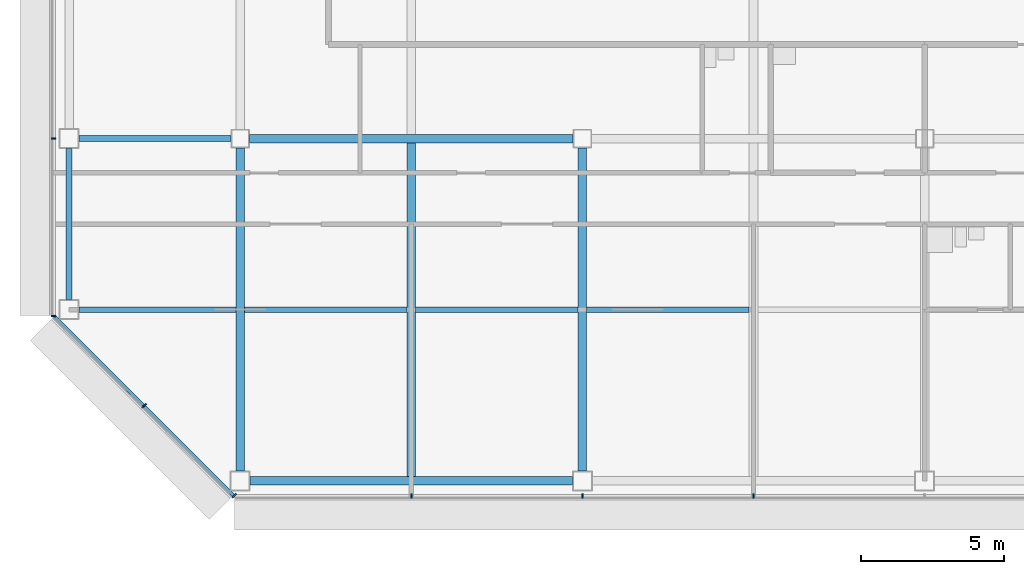
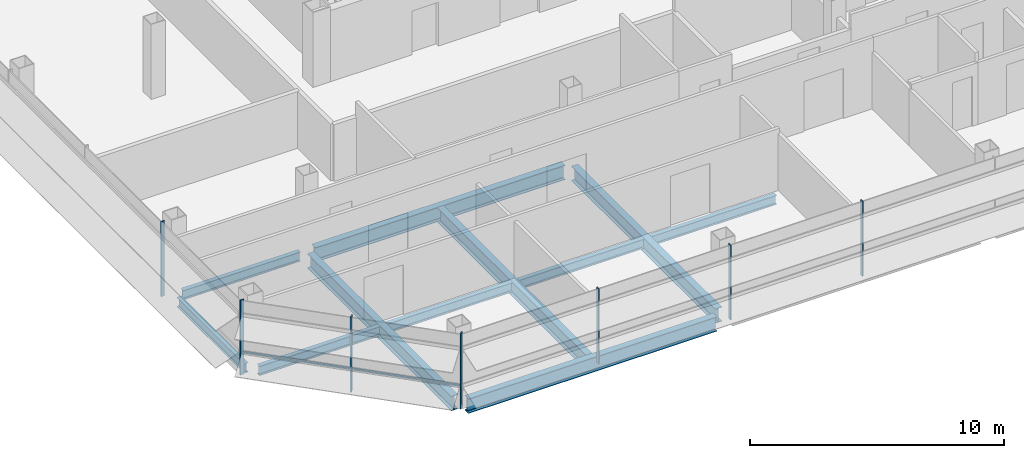
# One storey, part 2 of 24: 11 beams, 8 members, 3 elements without a shape of their own.
"""IFC4 building model written with IfcOpenShell, lengths in metres."""

from ifc_helpers import new_model, si_unit, direction, frame, origin, origin_2d, place, context, subcontext, project, spatial, rectangle, i_section, extrude, material, material_profile, profile_set, type_object, element, aggregate, save


model = new_model("IFC4")

# Units and contexts
model_context = context("Model", 3, precision=1e-05, world=origin(), true_north=direction((0.0, 1.0)))
body_context = subcontext(model_context, "Body", "Model", "MODEL_VIEW")
ifc_project = project(units=[si_unit("LENGTHUNIT", "METRE"), si_unit("AREAUNIT", "SQUARE_METRE"), si_unit("VOLUMEUNIT", "CUBIC_METRE"), si_unit("PLANEANGLEUNIT", "RADIAN"), si_unit("MASSUNIT", "GRAM", prefix="KILO")], contexts=[model_context])

# Site, building, storey
site_placement = place(None, origin())
site = spatial("IfcSite", under=ifc_project, at=site_placement, CompositionType="ELEMENT")
building_placement = place(site_placement, origin())
building = spatial("IfcBuilding", under=site, at=building_placement, Name="Sorahane Residences", CompositionType="ELEMENT")
storey_placement = place(building_placement, frame((0.0, 0.0, 174.39990234375)))
storey = spatial("IfcBuildingStorey", under=building, at=storey_placement, Name="L40", CompositionType="ELEMENT", Elevation=174.39990234375)

# Curtain wall, members
ifc_material_1 = material(Name="Dark low-e glass and black anodised aluminium", Category="aluminium")
curtain_wall_type_1 = type_object("IfcCurtainWallType", Name="Curtain wall CW-1 Typical unitised wall", PredefinedType="NOTDEFINED", material=ifc_material_1)
curtain_wall_1_placement = place(storey_placement, origin())
curtain_wall_1 = element("IfcCurtainWall", 1, at=curtain_wall_1_placement, inside=storey, type_object=curtain_wall_type_1, Name="CW-1 curtain wall L40 S1", PredefinedType="NOTDEFINED")
ifc_material_2 = material(Name="Black anodised aluminium", Category="aluminium")
ifc_material_profile_1 = material_profile(ifc_material_2, rectangle(XDim=0.159912109375, YDim=0.050048828125, at=origin_2d()), Name="Curtain wall mullion CW-1 black anodised aluminium 50x160")
ifc_profile_set_1 = profile_set([ifc_material_profile_1], Name="Black anodised aluminium")
member_type_1 = type_object("IfcMemberType", Name="Curtain wall mullion CW-1 black anodised aluminium 50x160", PredefinedType="MULLION", material=ifc_profile_set_1)
member_1_placement = place(storey_placement, frame((6.0, -0.5400390625, -0.179931640625), z_axis=(0.0, 0.0, 1.0), x_axis=(0.0, -1.0, 0.0)))
member_1 = element("IfcMember", 2, at=member_1_placement, type_object=member_type_1, Name="CW-1 mullion L40 S1.2", PredefinedType="MULLION", context=body_context, shape_type="SweptSolid", body=[
    extrude(rectangle(XDim=0.159912109375, YDim=0.050048828125, at=origin_2d()), origin(), (0.0, 0.0, 1.0), 3.60009765625),
])
member_2_placement = place(storey_placement, frame((12.0, -0.5400390625, -0.179931640625), z_axis=(0.0, 0.0, 1.0), x_axis=(0.0, -1.0, 0.0)))
member_2 = element("IfcMember", 3, at=member_2_placement, type_object=member_type_1, Name="CW-1 mullion L40 S1.3", PredefinedType="MULLION", context=body_context, shape_type="SweptSolid", body=[
    extrude(rectangle(XDim=0.159912109375, YDim=0.050048828125, at=origin_2d()), origin(), (0.0, 0.0, 1.0), 3.60009765625),
])
member_3_placement = place(storey_placement, frame((18.0, -0.5400390625, -0.179931640625), z_axis=(0.0, 0.0, 1.0), x_axis=(0.0, -1.0, 0.0)))
member_3 = element("IfcMember", 4, at=member_3_placement, type_object=member_type_1, Name="CW-1 mullion L40 S1.4", PredefinedType="MULLION", context=body_context, shape_type="SweptSolid", body=[
    extrude(rectangle(XDim=0.159912109375, YDim=0.050048828125, at=origin_2d()), origin(), (0.0, 0.0, 1.0), 3.60009765625),
])
aggregate(curtain_wall_1, [member_1, member_2, member_3])

curtain_wall_2_placement = place(storey_placement, origin())
curtain_wall_2 = element("IfcCurtainWall", 5, at=curtain_wall_2_placement, inside=storey, type_object=curtain_wall_type_1, Name="CW-1 curtain wall L40 W1", PredefinedType="NOTDEFINED")
member_4_placement = place(storey_placement, frame((-6.5400390625, 12.0, -0.179931640625), z_axis=(0.0, 0.0, 1.0), x_axis=(-1.0, 0.0, 0.0)))
member_4 = element("IfcMember", 6, at=member_4_placement, type_object=member_type_1, Name="CW-1 mullion L40 W1.6", PredefinedType="MULLION", context=body_context, shape_type="SweptSolid", body=[
    extrude(rectangle(XDim=0.159912109375, YDim=0.050048828125, at=origin_2d()), origin(), (0.0, 0.0, 1.0), 3.60009765625),
])
member_5_placement = place(storey_placement, frame((-6.5400390625, 5.7763671875, -0.179931640625), z_axis=(0.0, 0.0, 1.0), x_axis=(-1.0, 0.0, 0.0)))
member_5 = element("IfcMember", 7, at=member_5_placement, type_object=member_type_1, Name="CW-1 mullion L40 W1.7", PredefinedType="MULLION", context=body_context, shape_type="SweptSolid", body=[
    extrude(rectangle(XDim=0.159912109375, YDim=0.050048828125, at=origin_2d()), origin(), (0.0, 0.0, 1.0), 3.60009765625),
])
aggregate(curtain_wall_2, [member_4, member_5])

ifc_material_3 = material(Name="Dark low-e glass and black anodised aluminium", Category="aluminium")
curtain_wall_type_2 = type_object("IfcCurtainWallType", Name="Curtain wall CW-2 Chamfer unitised wall", PredefinedType="NOTDEFINED", material=ifc_material_3)
curtain_wall_3_placement = place(storey_placement, origin())
curtain_wall_3 = element("IfcCurtainWall", 8, at=curtain_wall_3_placement, inside=storey, type_object=curtain_wall_type_2, Name="CW-2 curtain wall L40 SW1", PredefinedType="NOTDEFINED")
ifc_material_4 = material(Name="Black anodised aluminium", Category="aluminium")
ifc_material_profile_2 = material_profile(ifc_material_4, rectangle(XDim=0.199951171875, YDim=0.050048828125, at=origin_2d()), Name="Curtain wall mullion CW-2 black anodised aluminium 50x200")
ifc_profile_set_2 = profile_set([ifc_material_profile_2], Name="Black anodised aluminium")
member_type_2 = type_object("IfcMemberType", Name="Curtain wall mullion CW-2 black anodised aluminium 50x200", PredefinedType="MULLION", material=ifc_profile_set_2)
member_6_placement = place(storey_placement, frame((-3.36767578125, 2.63232421875, -0.179931640625), z_axis=(0.0, 0.0, 1.0), x_axis=(-0.707106781187, -0.707106781187, 0.0)))
member_6 = element("IfcMember", 9, at=member_6_placement, type_object=member_type_2, Name="CW-2 mullion L40 SW1.2", PredefinedType="MULLION", context=body_context, shape_type="SweptSolid", body=[
    extrude(rectangle(XDim=0.199951171875, YDim=0.050048828125, at=origin_2d()), origin(), (0.0, 0.0, 1.0), 3.60009765625),
])
member_7_placement = place(storey_placement, frame((-0.209716796875, -0.525634765625, -0.179931640625), z_axis=(0.0, 0.0, 1.0), x_axis=(-0.707106781187, -0.707106781187, 0.0)))
member_7 = element("IfcMember", 10, at=member_7_placement, type_object=member_type_2, Name="CW-2 mullion L40 SW1.3", PredefinedType="MULLION", context=body_context, shape_type="SweptSolid", body=[
    extrude(rectangle(XDim=0.199951171875, YDim=0.050048828125, at=origin_2d()), origin(), (0.0, 0.0, 1.0), 3.60009765625),
])
ifc_material_5 = material(Name="Black anodised aluminium", Category="aluminium")
ifc_material_profile_3 = material_profile(ifc_material_5, rectangle(XDim=0.10009765625, YDim=0.06005859375, at=origin_2d()), Name="Curtain wall transom CW-2 black anodised aluminium 60x100")
ifc_profile_set_3 = profile_set([ifc_material_profile_3], Name="Black anodised aluminium")
member_type_3 = type_object("IfcMemberType", Name="Curtain wall transom CW-2 black anodised aluminium 60x100", PredefinedType="USERDEFINED", material=ifc_profile_set_3)
member_8_placement = place(storey_placement, frame((-6.51513671875, 5.765625, 0.900146484375), z_axis=(0.707106781187, -0.707106781187, 0.0), x_axis=(0.707106781187, 0.707106781187, 0.0)))
member_8 = element("IfcMember", 11, at=member_8_placement, type_object=member_type_3, Name="CW-2 transom L40 SW1", ObjectType="TRANSOM", PredefinedType="USERDEFINED", context=body_context, shape_type="SweptSolid", body=[
    extrude(rectangle(XDim=0.10009765625, YDim=0.06005859375, at=origin_2d()), origin(), (0.0, 0.0, 1.0), 8.88232421875),
])
aggregate(curtain_wall_3, [member_6, member_7, member_8])

# Beams
ifc_material_6 = material(Name="Steel Q355B", Category="steel")
ifc_material_profile_4 = material_profile(ifc_material_6, i_section(OverallWidth=0.199951171875, OverallDepth=0.449951171875, WebThickness=0.009033203125, FlangeThickness=0.013916015625, FilletRadius=0.02001953125, at=origin_2d()), Name="HN 450x200x9x14")
ifc_profile_set_4 = profile_set([ifc_material_profile_4], Name="Steel Q355B")
beam_type_1 = type_object("IfcBeamType", Name="Steel floor beam HN 450x200x9x14 Q355B", PredefinedType="BEAM", material=ifc_profile_set_4)
beam_1_placement = place(storey_placement, frame((-5.64990234375, 12.0, -0.40478515625), z_axis=(1.0, 0.0, 0.0), x_axis=(0.0, 1.0, 0.0)))
element("IfcBeam", 12, at=beam_1_placement, inside=storey, type_object=beam_type_1, Name="Beam L40 005", PredefinedType="BEAM", context=body_context, shape_type="SweptSolid", body=[
    extrude(i_section(OverallWidth=0.199951171875, OverallDepth=0.449951171875, WebThickness=0.009033203125, FlangeThickness=0.013916015625, FilletRadius=0.02001953125, at=origin_2d()), origin(), (0.0, 0.0, 1.0), 5.324951171875),
])
beam_2_placement = place(storey_placement, frame((-6.0, 6.35009765625, -0.40478515625), z_axis=(0.0, 1.0, 0.0), x_axis=(-1.0, 0.0, 0.0)))
element("IfcBeam", 13, at=beam_2_placement, inside=storey, type_object=beam_type_1, Name="Beam L40 020", PredefinedType="BEAM", context=body_context, shape_type="SweptSolid", body=[
    extrude(i_section(OverallWidth=0.199951171875, OverallDepth=0.449951171875, WebThickness=0.009033203125, FlangeThickness=0.013916015625, FilletRadius=0.02001953125, at=origin_2d()), origin(), (0.0, 0.0, 1.0), 5.2998046875),
])
beam_3_placement = place(storey_placement, frame((-5.64990234375, 6.0, -0.40478515625), z_axis=(1.0, 0.0, 0.0), x_axis=(0.0, 1.0, 0.0)))
element("IfcBeam", 14, at=beam_3_placement, inside=storey, type_object=beam_type_1, Name="Beam L40 068", PredefinedType="BEAM", context=body_context, shape_type="SweptSolid", body=[
    extrude(i_section(OverallWidth=0.199951171875, OverallDepth=0.449951171875, WebThickness=0.009033203125, FlangeThickness=0.013916015625, FilletRadius=0.02001953125, at=origin_2d()), origin(), (0.0, 0.0, 1.0), 5.5),
])
for number, where, z_axis, x_axis, name in (
    (15, (0.14990234375, 6.0, -0.40478515625), (1.0, 0.0, 0.0), (0.0, 1.0, 0.0), "Beam L40 069"),
    (16, (6.14990234375, 6.0, -0.40478515625), (1.0, 0.0, 0.0), (0.0, 1.0, 0.0), "Beam L40 070"),
    (17, (12.14990234375, 6.0, -0.40478515625), (1.0, 0.0, 0.0), (0.0, 1.0, 0.0), "Beam L40 071"),
):
    element("IfcBeam", number, at=place(storey_placement, frame(where, z_axis=z_axis, x_axis=x_axis)), inside=storey, type_object=beam_type_1, Name=name, PredefinedType="BEAM", context=body_context, shape_type="SweptSolid", body=[
        extrude(i_section(OverallWidth=0.199951171875, OverallDepth=0.449951171875, WebThickness=0.009033203125, FlangeThickness=0.013916015625, FilletRadius=0.02001953125, at=origin_2d()), origin(), (0.0, 0.0, 1.0), 5.7001953125),
    ])
ifc_material_7 = material(Name="Steel Q355B", Category="steel")
ifc_material_profile_5 = material_profile(ifc_material_7, i_section(OverallWidth=0.300048828125, OverallDepth=0.699951171875, WebThickness=0.012939453125, FlangeThickness=0.02392578125, FilletRadius=0.028076171875, at=origin_2d()), Name="HN 700x300x13x24")
ifc_profile_set_5 = profile_set([ifc_material_profile_5], Name="Steel Q355B")
beam_type_2 = type_object("IfcBeamType", Name="Steel floor beam HN 700x300x13x24 Q355B", PredefinedType="BEAM", material=ifc_profile_set_5)
beam_4_placement = place(storey_placement, frame((0.35009765625, 0.0, -0.52978515625), z_axis=(1.0, 0.0, 0.0), x_axis=(0.0, 1.0, 0.0)))
element("IfcBeam", 18, at=beam_4_placement, inside=storey, type_object=beam_type_2, Name="Beam L40 000", PredefinedType="BEAM", context=body_context, shape_type="SweptSolid", body=[
    extrude(i_section(OverallWidth=0.300048828125, OverallDepth=0.699951171875, WebThickness=0.012939453125, FlangeThickness=0.02392578125, FilletRadius=0.028076171875, at=origin_2d()), origin(), (0.0, 0.0, 1.0), 11.2998046875),
])
beam_5_placement = place(storey_placement, frame((0.324951171875, 12.0, -0.52978515625), z_axis=(1.0, 0.0, 0.0), x_axis=(0.0, 1.0, 0.0)))
element("IfcBeam", 19, at=beam_5_placement, inside=storey, type_object=beam_type_2, Name="Beam L40 006", PredefinedType="BEAM", context=body_context, shape_type="SweptSolid", body=[
    extrude(i_section(OverallWidth=0.300048828125, OverallDepth=0.699951171875, WebThickness=0.012939453125, FlangeThickness=0.02392578125, FilletRadius=0.028076171875, at=origin_2d()), origin(), (0.0, 0.0, 1.0), 11.35009765625),
])
beam_6_placement = place(storey_placement, frame((0.0, 0.35009765625, -0.52978515625), z_axis=(0.0, 1.0, 0.0), x_axis=(-1.0, 0.0, 0.0)))
element("IfcBeam", 20, at=beam_6_placement, inside=storey, type_object=beam_type_2, Name="Beam L40 024", PredefinedType="BEAM", context=body_context, shape_type="SweptSolid", body=[
    extrude(i_section(OverallWidth=0.300048828125, OverallDepth=0.699951171875, WebThickness=0.012939453125, FlangeThickness=0.02392578125, FilletRadius=0.028076171875, at=origin_2d()), origin(), (0.0, 0.0, 1.0), 11.324951171875),
])
beam_7_placement = place(storey_placement, frame((6.0, 0.14990234375, -0.52978515625), z_axis=(0.0, 1.0, 0.0), x_axis=(-1.0, 0.0, 0.0)))
element("IfcBeam", 21, at=beam_7_placement, inside=storey, type_object=beam_type_2, Name="Beam L40 028", PredefinedType="BEAM", context=body_context, shape_type="SweptSolid", body=[
    extrude(i_section(OverallWidth=0.300048828125, OverallDepth=0.699951171875, WebThickness=0.012939453125, FlangeThickness=0.02392578125, FilletRadius=0.028076171875, at=origin_2d()), origin(), (0.0, 0.0, 1.0), 11.7001953125),
])
beam_8_placement = place(storey_placement, frame((12.0, 0.35009765625, -0.52978515625), z_axis=(0.0, 1.0, 0.0), x_axis=(-1.0, 0.0, 0.0)))
element("IfcBeam", 22, at=beam_8_placement, inside=storey, type_object=beam_type_2, Name="Beam L40 034", PredefinedType="BEAM", context=body_context, shape_type="SweptSolid", body=[
    extrude(i_section(OverallWidth=0.300048828125, OverallDepth=0.699951171875, WebThickness=0.012939453125, FlangeThickness=0.02392578125, FilletRadius=0.028076171875, at=origin_2d()), origin(), (0.0, 0.0, 1.0), 11.324951171875),
])

save(model, "model.ifc")
